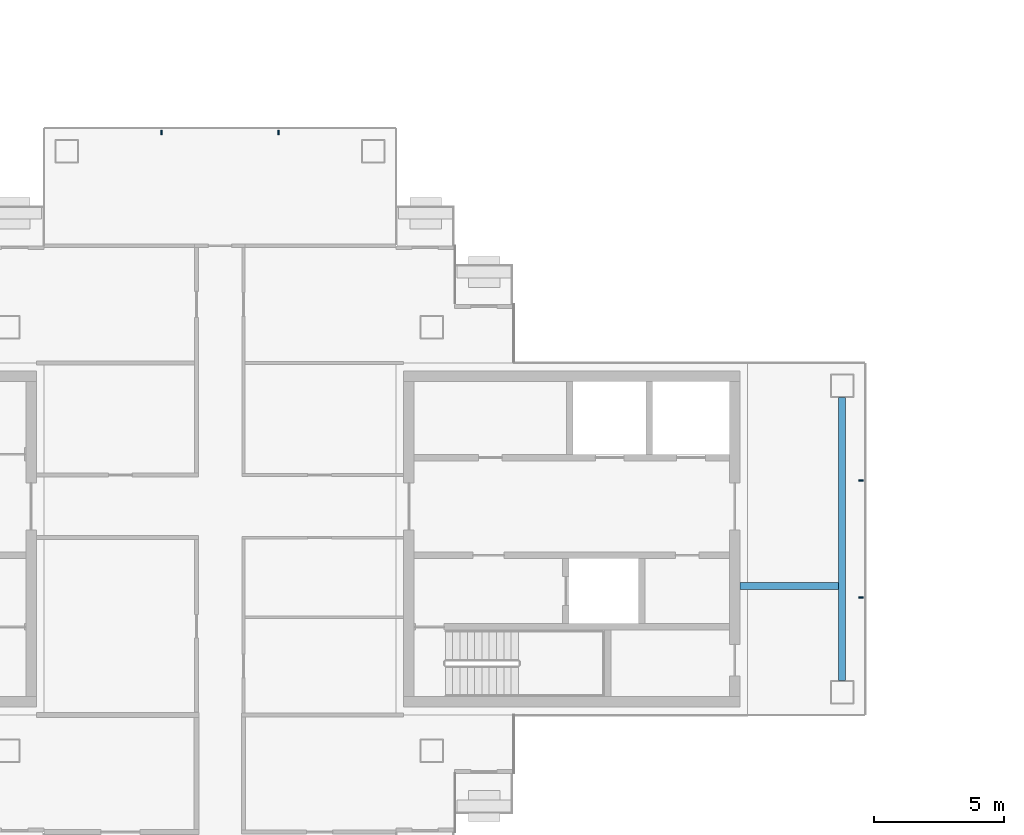
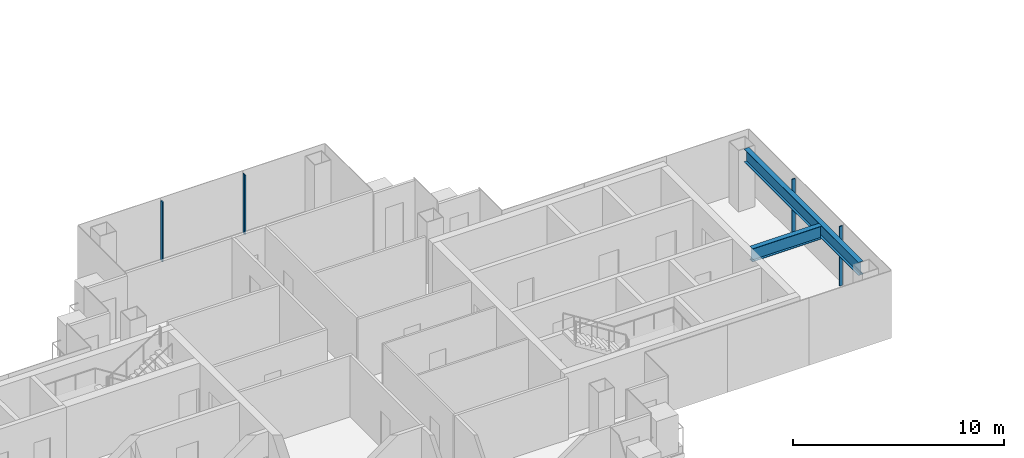
# One storey, part 4 of 16: 4 members, 2 beams, 2 elements without a shape of their own.
"""IFC4 building model written with IfcOpenShell, lengths in metres."""

from ifc_helpers import new_model, si_unit, direction, frame, origin, origin_2d, place, context, subcontext, project, spatial, rectangle, i_section, extrude, material, layer, layer_set, material_profile, profile_set, type_object, element, aggregate, save


model = new_model("IFC4")

# Units and contexts
model_context = context("Model", 3, precision=1e-05, world=origin(), true_north=direction((0.0, 1.0)))
body_context = subcontext(model_context, "Body", "Model", "MODEL_VIEW")
ifc_project = project(units=[si_unit("LENGTHUNIT", "METRE"), si_unit("AREAUNIT", "SQUARE_METRE"), si_unit("VOLUMEUNIT", "CUBIC_METRE"), si_unit("PLANEANGLEUNIT", "RADIAN"), si_unit("MASSUNIT", "GRAM", prefix="KILO")], contexts=[model_context])

# Site, building, storey
site_placement = place(None, origin())
site = spatial("IfcSite", under=ifc_project, at=site_placement, CompositionType="ELEMENT")
building_placement = place(site_placement, origin())
building = spatial("IfcBuilding", under=site, at=building_placement, Name="Shamsa Quay Exchange Towers", CompositionType="ELEMENT")
storey_placement = place(building_placement, frame((0.0, 0.0, 261.60009765625)))
storey = spatial("IfcBuildingStorey", under=building, at=storey_placement, Name="L63", CompositionType="ELEMENT", Elevation=261.60009765625)

# Curtain wall, members
ifc_material_1 = material(Name="Aluminium EN AW-6063 T6, black anodised", Category="aluminium")
ifc_layer = layer(ifc_material_1, 0.280029296875)
ifc_layer_set = layer_set([ifc_layer], Name="CW-1 UNITISED VISION GLASS")
curtain_wall_type = type_object("IfcCurtainWallType", Name="CW-1 UNITISED VISION GLASS", PredefinedType="NOTDEFINED", material=ifc_layer_set)
curtain_wall_1_placement = place(storey_placement, origin())
curtain_wall_1 = element("IfcCurtainWall", 1, at=curtain_wall_1_placement, inside=storey, type_object=curtain_wall_type, Name="CW1 T1-END-U+ L63", PredefinedType="NOTDEFINED")
ifc_material_profile_1 = material_profile(ifc_material_1, rectangle(XDim=0.179931640625, YDim=0.06005859375, at=origin_2d()), Name="MU60x180")
ifc_profile_set_1 = profile_set([ifc_material_profile_1], Name="Aluminium EN AW-6063 T6, black anodised")
member_type = type_object("IfcMemberType", Name="CW1 MULLION 60x180", PredefinedType="MULLION", material=ifc_profile_set_1)
member_1_placement = place(storey_placement, frame((-9.14990234375, -2.25, 0.0), z_axis=(0.0, 0.0, 1.0), x_axis=(-1.0, 0.0, 0.0)))
member_1 = element("IfcMember", 2, at=member_1_placement, type_object=member_type, Name="CW1 mullion", PredefinedType="MULLION", context=body_context, shape_type="SweptSolid", body=[
    extrude(rectangle(XDim=0.179931640625, YDim=0.06005859375, at=origin_2d()), origin(), (0.0, 0.0, 1.0), 3.449951171875),
])
member_2_placement = place(storey_placement, frame((-9.14990234375, 2.25, 0.0), z_axis=(0.0, 0.0, 1.0), x_axis=(-1.0, 0.0, 0.0)))
member_2 = element("IfcMember", 3, at=member_2_placement, type_object=member_type, Name="CW1 mullion", PredefinedType="MULLION", context=body_context, shape_type="SweptSolid", body=[
    extrude(rectangle(XDim=0.179931640625, YDim=0.06005859375, at=origin_2d()), origin(), (0.0, 0.0, 1.0), 3.449951171875),
])
aggregate(curtain_wall_1, [member_1, member_2])

curtain_wall_2_placement = place(storey_placement, origin())
curtain_wall_2 = element("IfcCurtainWall", 4, at=curtain_wall_2_placement, inside=storey, type_object=curtain_wall_type, Name="CW1 T1-END-V+ L63", PredefinedType="NOTDEFINED")
member_3_placement = place(storey_placement, frame((-31.5, 15.60009765625, 0.0), z_axis=(0.0, 0.0, 1.0), x_axis=(0.0, -1.0, 0.0)))
member_3 = element("IfcMember", 5, at=member_3_placement, type_object=member_type, Name="CW1 mullion", PredefinedType="MULLION", context=body_context, shape_type="SweptSolid", body=[
    extrude(rectangle(XDim=0.179931640625, YDim=0.06005859375, at=origin_2d()), origin(), (0.0, 0.0, 1.0), 3.449951171875),
])
member_4_placement = place(storey_placement, frame((-36.0, 15.60009765625, 0.0), z_axis=(0.0, 0.0, 1.0), x_axis=(0.0, -1.0, 0.0)))
member_4 = element("IfcMember", 6, at=member_4_placement, type_object=member_type, Name="CW1 mullion", PredefinedType="MULLION", context=body_context, shape_type="SweptSolid", body=[
    extrude(rectangle(XDim=0.179931640625, YDim=0.06005859375, at=origin_2d()), origin(), (0.0, 0.0, 1.0), 3.449951171875),
])
aggregate(curtain_wall_2, [member_3, member_4])

# Beams
ifc_material_2 = material(Name="Steel S355", Category="steel")
ifc_material_profile_2 = material_profile(ifc_material_2, i_section(OverallWidth=0.26611328125, OverallDepth=0.7578125, WebThickness=0.013916015625, FlangeThickness=0.019287109375, at=origin_2d()), Name="W30x108")
ifc_profile_set_2 = profile_set([ifc_material_profile_2], Name="Steel S355")
beam_type = type_object("IfcBeamType", Name="End-zone beam W30x108", PredefinedType="BEAM", material=ifc_profile_set_2)
beam_1_placement = place(storey_placement, frame((-9.875, -5.425048828125, 3.171142578125), z_axis=(0.0, 1.0, 0.0), x_axis=(-1.0, 0.0, 0.0)))
element("IfcBeam", 7, at=beam_1_placement, inside=storey, type_object=beam_type, Name="End beam T1 U+ end zone L63", PredefinedType="BEAM", context=body_context, shape_type="SweptSolid", body=[
    extrude(i_section(OverallWidth=0.26611328125, OverallDepth=0.7578125, WebThickness=0.013916015625, FlangeThickness=0.019287109375, at=origin_2d()), origin(), (0.0, 0.0, 1.0), 10.85009765625),
])
beam_2_placement = place(storey_placement, frame((-13.800048828125, -1.800048828125, 3.171142578125), z_axis=(1.0, 0.0, 0.0), x_axis=(0.0, 1.0, 0.0)))
element("IfcBeam", 8, at=beam_2_placement, inside=storey, type_object=beam_type, Name="Spine beam T1 U+ end zone L63", PredefinedType="BEAM", context=body_context, shape_type="SweptSolid", body=[
    extrude(i_section(OverallWidth=0.26611328125, OverallDepth=0.7578125, WebThickness=0.013916015625, FlangeThickness=0.019287109375, at=origin_2d()), origin(), (0.0, 0.0, 1.0), 3.7919921875),
])

save(model, "model.ifc")
